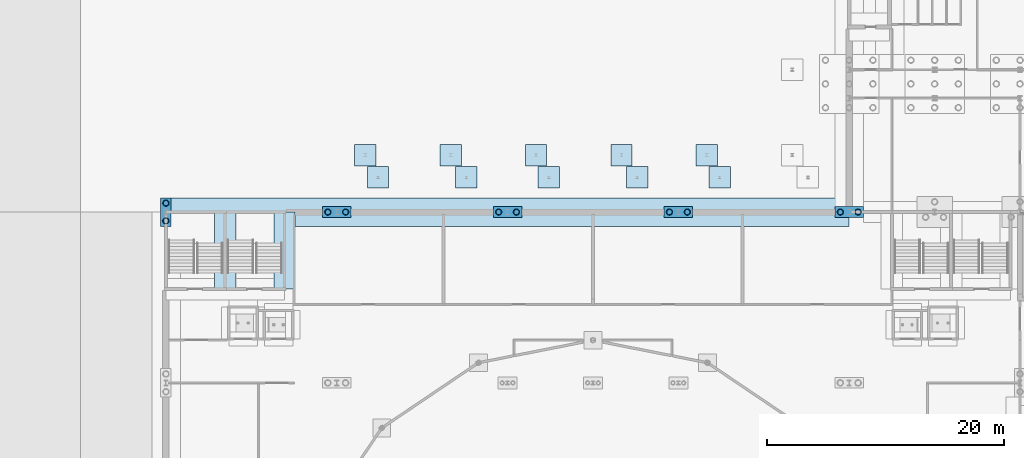
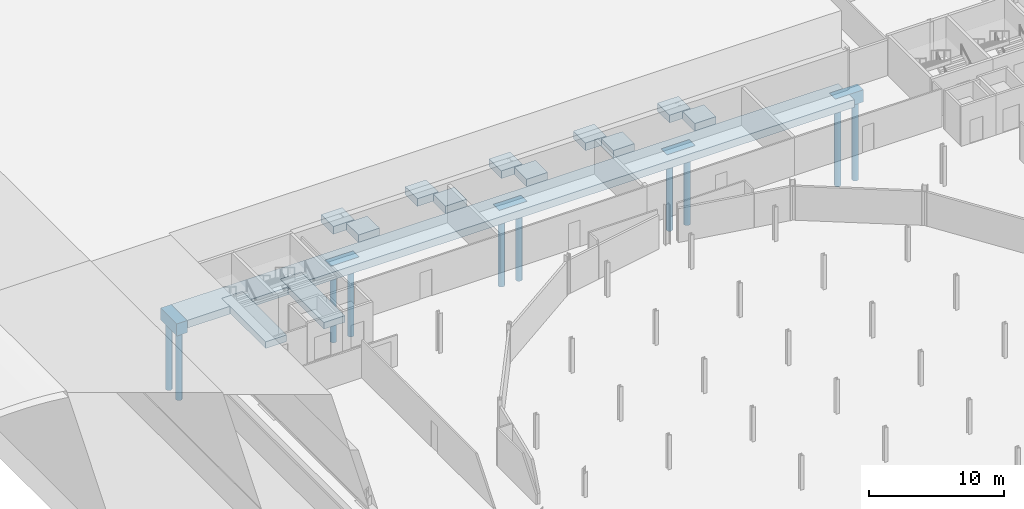
# One storey, part 23 of 148: 18 footings, 10 piles.
"""IFC4 building model written with IfcOpenShell, lengths in metres."""

from ifc_helpers import new_model, si_unit, direction, frame, origin, origin_2d, place, context, subcontext, project, spatial, rectangle, hollow_circle, extrude, material, layer, layer_set, material_profile, profile_set, type_object, element, save


model = new_model("IFC4")

# Units and contexts
model_context = context("Model", 3, precision=1e-05, world=origin(), true_north=direction((0.0, 1.0)))
body_context = subcontext(model_context, "Body", "Model", "MODEL_VIEW")
ifc_project = project(units=[si_unit("LENGTHUNIT", "METRE"), si_unit("AREAUNIT", "SQUARE_METRE"), si_unit("VOLUMEUNIT", "CUBIC_METRE"), si_unit("PLANEANGLEUNIT", "RADIAN"), si_unit("MASSUNIT", "GRAM", prefix="KILO")], contexts=[model_context])

# Site, building, storey
site_placement = place(None, origin())
site = spatial("IfcSite", under=ifc_project, at=site_placement, CompositionType="ELEMENT")
building_placement = place(site_placement, origin())
building = spatial("IfcBuilding", under=site, at=building_placement, Name="Kupolbacken Congress Centre", CompositionType="ELEMENT")
storey_placement = place(building_placement, origin())
storey = spatial("IfcBuildingStorey", under=building, at=storey_placement, Name="L00", CompositionType="ELEMENT", Elevation=0.0)

# Footings
ifc_material_1 = material(Name="Concrete C30/37", Category="concrete")
ifc_layer_1 = layer(ifc_material_1, 1.10009765625)
ifc_layer_set_1 = layer_set([ifc_layer_1], Name="Concrete C30/37")
footing_type_1 = type_object("IfcFootingType", Name="PC2 pile cap 2.40 x 0.90 x 1.10 m", PredefinedType="PILE_CAP", material=ifc_layer_set_1)
footing_1_placement = place(storey_placement, frame((7.199951171875, 122.39990234375, -1.400146484375), z_axis=(0.0, 0.0, 1.0), x_axis=(1.0, 0.0, 0.0)))
element("IfcFooting", 1, at=footing_1_placement, inside=storey, type_object=footing_type_1, Name="S/fnd/C-P-2T/cap", PredefinedType="PILE_CAP", context=body_context, shape_type="SweptSolid", body=[
    extrude(rectangle(XDim=0.89990234375, YDim=2.39990234375, at=origin_2d()), origin(), (0.0, 0.0, 1.0), 1.10009765625),
])
for number, where, z_axis, x_axis, name in (
    (2, (21.60009765625, 122.39990234375, -1.400146484375), (0.0, 0.0, 1.0), (1.0, 0.0, 0.0), "S/fnd/C-P-4T/cap"),
    (3, (36.0, 122.39990234375, -1.400146484375), (0.0, 0.0, 1.0), (1.0, 0.0, 0.0), "S/fnd/C-P-6T/cap"),
    (4, (50.39990234375, 122.39990234375, -1.400146484375), (0.0, 0.0, 1.0), (1.0, 0.0, 0.0), "S/fnd/C-P-8T/cap"),
    (5, (64.800048828125, 122.39990234375, -1.400146484375), (0.0, 0.0, 1.0), (1.0, 0.0, 0.0), "S/fnd/C-T-10T/cap"),
):
    element("IfcFooting", number, at=place(storey_placement, frame(where, z_axis=z_axis, x_axis=x_axis)), inside=storey, type_object=footing_type_1, Name=name, PredefinedType="PILE_CAP", context=body_context, shape_type="SweptSolid", body=[
        extrude(rectangle(XDim=2.39990234375, YDim=0.89990234375, at=origin_2d()), origin(), (0.0, 0.0, 1.0), 1.10009765625),
    ])
ifc_material_2 = material(Name="Concrete C30/37", Category="concrete")
ifc_layer_2 = layer(ifc_material_2, 0.699951171875)
ifc_layer_set_2 = layer_set([ifc_layer_2], Name="Concrete C30/37")
footing_type_2 = type_object("IfcFootingType", Name="PD4 pad footing 1.80 x 1.80 x 0.70 m", PredefinedType="PAD_FOOTING", material=ifc_layer_set_2)
for number, where, z_axis, x_axis, name in (
    (6, (32.52001953125, 125.320068359375, -1.0), (0.0, 0.0, 1.0), (1.0, 0.0, 0.0), "E/canopy/HEN1/pad1"),
    (7, (25.080078125, 125.320068359375, -1.0), (0.0, 0.0, 1.0), (1.0, 0.0, 0.0), "E/canopy/HEN1/pad2"),
    (8, (46.919921875, 125.320068359375, -1.0), (0.0, 0.0, 1.0), (1.0, 0.0, 0.0), "E/canopy/HEN2/pad1"),
    (9, (39.47998046875, 125.320068359375, -1.0), (0.0, 0.0, 1.0), (1.0, 0.0, 0.0), "E/canopy/HEN2/pad2"),
    (10, (53.8798828125, 125.320068359375, -1.0), (0.0, 0.0, 1.0), (1.0, 0.0, 0.0), "E/canopy/HEN3/pad2"),
    (11, (24.0, 127.199951171875, -1.0), (0.0, 0.0, 1.0), (1.0, 0.0, 0.0), "E/T/portico/P/pad24"),
    (12, (31.199951171875, 127.199951171875, -1.0), (0.0, 0.0, 1.0), (1.0, 0.0, 0.0), "E/T/portico/P/pad31.2"),
    (13, (38.39990234375, 127.199951171875, -1.0), (0.0, 0.0, 1.0), (1.0, 0.0, 0.0), "E/T/portico/P/pad38.4"),
    (14, (45.60009765625, 127.199951171875, -1.0), (0.0, 0.0, 1.0), (1.0, 0.0, 0.0), "E/T/portico/P/pad45.6"),
    (15, (52.800048828125, 127.199951171875, -1.0), (0.0, 0.0, 1.0), (1.0, 0.0, 0.0), "E/T/portico/P/pad52.8"),
):
    element("IfcFooting", number, at=place(storey_placement, frame(where, z_axis=z_axis, x_axis=x_axis)), inside=storey, type_object=footing_type_2, Name=name, PredefinedType="PAD_FOOTING", context=body_context, shape_type="SweptSolid", body=[
        extrude(rectangle(XDim=1.800048828125, YDim=1.800048828125, at=origin_2d()), origin(), (0.0, 0.0, 1.0), 0.699951171875),
    ])

# Piles
ifc_material_3 = material(Name="Steel S355", Category="steel")
ifc_material_profile = material_profile(ifc_material_3, hollow_circle(Radius=0.25390625, WallThickness=0.02001953125, at=origin_2d()), Name="CHS 508 x 20")
ifc_profile_set = profile_set([ifc_material_profile], Name="Steel S355")
pile_type = type_object("IfcPileType", Name="PL3 steel tube pile CHS 508 x 20", PredefinedType="BORED", material=ifc_profile_set)
for number, where, z_axis, x_axis, name in (
    (16, (7.199951171875, 121.64990234375, -1.39990234375), (0.0, 0.0, -1.0), (1.0, 0.0, 0.0), "S/fnd/C-P-2T/pile1"),
    (17, (7.199951171875, 123.14990234375, -1.39990234375), (0.0, 0.0, -1.0), (1.0, 0.0, 0.0), "S/fnd/C-P-2T/pile2"),
    (18, (20.85009765625, 122.39990234375, -1.39990234375), (0.0, 0.0, -1.0), (1.0, 0.0, 0.0), "S/fnd/C-P-4T/pile1"),
    (19, (22.35009765625, 122.39990234375, -1.39990234375), (0.0, 0.0, -1.0), (1.0, 0.0, 0.0), "S/fnd/C-P-4T/pile2"),
    (20, (35.25, 122.39990234375, -1.39990234375), (0.0, 0.0, -1.0), (1.0, 0.0, 0.0), "S/fnd/C-P-6T/pile1"),
    (21, (36.75, 122.39990234375, -1.39990234375), (0.0, 0.0, -1.0), (1.0, 0.0, 0.0), "S/fnd/C-P-6T/pile2"),
    (22, (49.64990234375, 122.39990234375, -1.39990234375), (0.0, 0.0, -1.0), (1.0, 0.0, 0.0), "S/fnd/C-P-8T/pile1"),
    (23, (51.14990234375, 122.39990234375, -1.39990234375), (0.0, 0.0, -1.0), (1.0, 0.0, 0.0), "S/fnd/C-P-8T/pile2"),
):
    element("IfcPile", number, at=place(storey_placement, frame(where, z_axis=z_axis, x_axis=x_axis)), inside=storey, type_object=pile_type, Name=name, PredefinedType="BORED", context=body_context, shape_type="SweptSolid", body=[
        extrude(hollow_circle(Radius=0.25390625, WallThickness=0.02001953125, at=origin_2d()), origin(), (0.0, 0.0, 1.0), 6.10009765625),
    ])
for number, where, z_axis, x_axis, name in (
    (24, (64.050048828125, 122.39990234375, -1.39990234375), (0.0, 0.0, -1.0), (1.0, 0.0, 0.0), "S/fnd/C-T-10T/pile1"),
    (25, (65.550048828125, 122.39990234375, -1.39990234375), (0.0, 0.0, -1.0), (1.0, 0.0, 0.0), "S/fnd/C-T-10T/pile2"),
):
    element("IfcPile", number, at=place(storey_placement, frame(where, z_axis=z_axis, x_axis=x_axis)), inside=storey, type_object=pile_type, Name=name, PredefinedType="BORED", context=body_context, shape_type="SweptSolid", body=[
        extrude(hollow_circle(Radius=0.25390625, WallThickness=0.02001953125, at=origin_2d()), origin(), (0.0, 0.0, 1.0), 7.10009765625),
    ])

# Footings
ifc_material_4 = material(Name="Concrete C30/37", Category="concrete")
ifc_layer_3 = layer(ifc_material_4, 0.60009765625)
ifc_layer_set_3 = layer_set([ifc_layer_3], Name="Concrete C30/37")
footing_type_3 = type_object("IfcFootingType", Name="SF2 strip footing 1.80 x 0.60 m", PredefinedType="STRIP_FOOTING", material=ifc_layer_set_3)
for number, where, z_axis, x_axis, name in (
    (26, (12.199951171875, 119.14990234375, -0.900146484375), (0.0, 0.0, 1.0), (0.0, 1.0, 0.0), "S/fnd/core/066"),
    (27, (17.199951171875, 119.14990234375, -0.900146484375), (0.0, 0.0, 1.0), (0.0, 1.0, 0.0), "S/fnd/core/067"),
):
    element("IfcFooting", number, at=place(storey_placement, frame(where, z_axis=z_axis, x_axis=x_axis)), inside=storey, type_object=footing_type_3, Name=name, PredefinedType="STRIP_FOOTING", context=body_context, shape_type="SweptSolid", body=[
        extrude(rectangle(XDim=6.5, YDim=1.800048828125, at=origin_2d()), origin(), (0.0, 0.0, 1.0), 0.60009765625),
    ])
ifc_material_5 = material(Name="Concrete C30/37", Category="concrete")
ifc_layer_4 = layer(ifc_material_5, 0.699951171875)
ifc_layer_set_4 = layer_set([ifc_layer_4], Name="Concrete C30/37")
footing_type_4 = type_object("IfcFootingType", Name="SF3 strip footing 2.40 x 0.70 m", PredefinedType="STRIP_FOOTING", material=ifc_layer_set_4)
footing_2_placement = place(storey_placement, frame((36.0, 122.39990234375, -1.0), z_axis=(0.0, 0.0, 1.0), x_axis=(1.0, 0.0, 0.0)))
element("IfcFooting", 28, at=footing_2_placement, inside=storey, type_object=footing_type_4, Name="S/fnd/buried/BF07", PredefinedType="STRIP_FOOTING", context=body_context, shape_type="SweptSolid", body=[
    extrude(rectangle(XDim=57.60009765625, YDim=2.39990234375, at=origin_2d()), origin(), (0.0, 0.0, 1.0), 0.699951171875),
])

save(model, "model.ifc")
